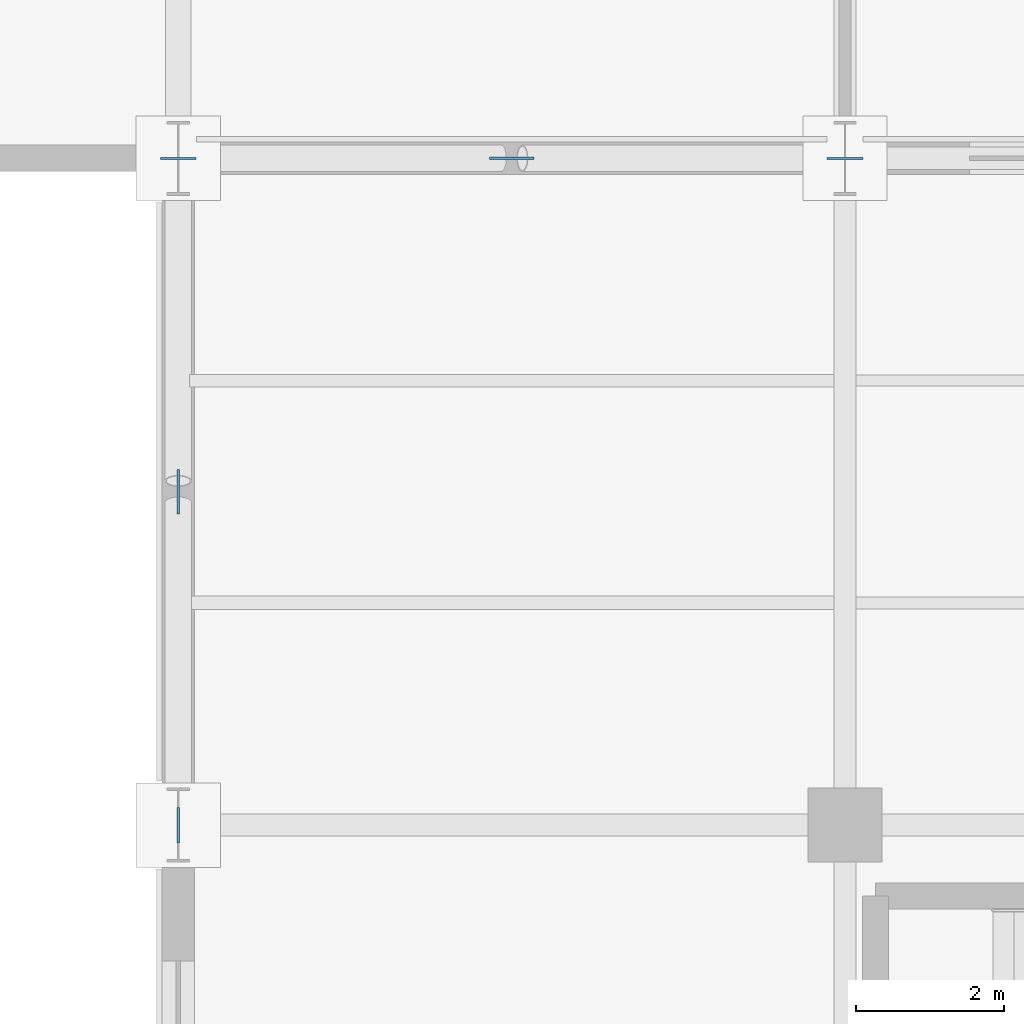
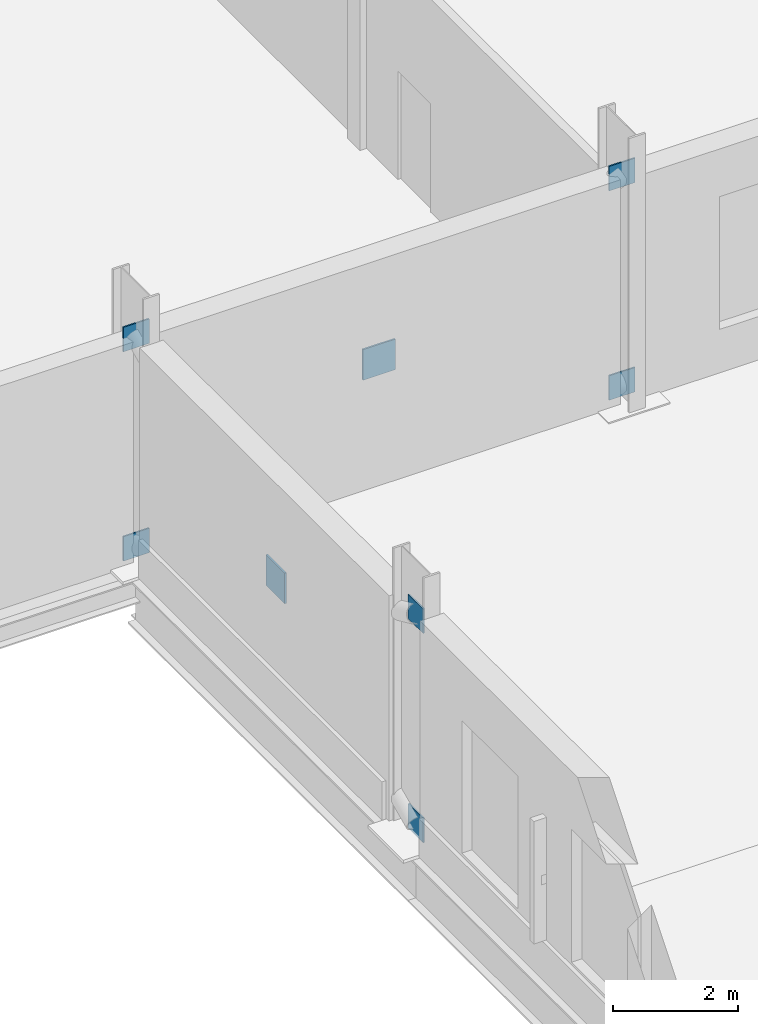
# One storey, part 112 of 141: 8 plates.
"""IFC4 building model written with IfcOpenShell, lengths in metres."""

from ifc_helpers import new_model, si_unit, direction, frame, origin, origin_2d, place, context, subcontext, project, spatial, rectangle, extrude, material, layer, layer_set, type_object, element, save


model = new_model("IFC4")

# Units and contexts
model_context = context("Model", 3, precision=1e-05, world=origin(), true_north=direction((0.0, 1.0)))
body_context = subcontext(model_context, "Body", "Model", "MODEL_VIEW")
ifc_project = project(units=[si_unit("LENGTHUNIT", "METRE"), si_unit("AREAUNIT", "SQUARE_METRE"), si_unit("VOLUMEUNIT", "CUBIC_METRE"), si_unit("PLANEANGLEUNIT", "RADIAN"), si_unit("MASSUNIT", "GRAM", prefix="KILO")], contexts=[model_context])

# Site, building, storey
site_placement = place(None, origin())
site = spatial("IfcSite", under=ifc_project, at=site_placement, CompositionType="ELEMENT")
building_placement = place(site_placement, origin())
building = spatial("IfcBuilding", under=site, at=building_placement, Name="Sundgate Opera House", CompositionType="ELEMENT")
storey_placement = place(building_placement, frame((0.0, 0.0, 11.39990234375)))
storey = spatial("IfcBuildingStorey", under=building, at=storey_placement, Name="L02", CompositionType="ELEMENT", Elevation=11.39990234375)

# Plates
ifc_material_1 = material(Name="Steel S355J2", Category="steel")
ifc_layer_1 = layer(ifc_material_1, 0.028076171875)
ifc_layer_set_1 = layer_set([ifc_layer_1], Name="Steel S355J2")
plate_type_1 = type_object("IfcPlateType", Name="PT-GUS-28", PredefinedType="USERDEFINED", material=ifc_layer_set_1)
for number, where, z_axis, x_axis, name in (
    (1, (27.0, 87.0, 0.010009765625), (0.0, 0.0, 1.0), (1.0, 0.0, 0.0), "L02 Belt-Truss End Gusset"),
    (2, (36.0, 87.0, 4.110107421875), (0.0, 0.0, 1.0), (1.0, 0.0, 0.0), "L02 Belt-Truss End Gusset"),
    (3, (36.0, 87.0, 0.010009765625), (0.0, 0.0, 1.0), (1.0, 0.0, 0.0), "L02 Belt-Truss End Gusset"),
    (4, (27.0, 87.0, 4.110107421875), (0.0, 0.0, 1.0), (1.0, 0.0, 0.0), "L02 Belt-Truss End Gusset"),
):
    element("IfcPlate", number, at=place(storey_placement, frame(where, z_axis=z_axis, x_axis=x_axis)), inside=storey, type_object=plate_type_1, Name=name, ObjectType="GUSSET PLATE", PredefinedType="USERDEFINED", context=body_context, shape_type="SweptSolid", body=[
        extrude(rectangle(XDim=0.47998046875, YDim=0.028076171875, at=origin_2d()), origin(), (0.0, 0.0, 1.0), 0.47998046875),
    ])
for number, where, z_axis, x_axis, name in (
    (5, (27.0, 78.0, 0.010009765625), (0.0, 0.0, 1.0), (1.0, 0.0, 0.0), "L02 Belt-Truss End Gusset"),
    (6, (27.0, 78.0, 4.110107421875), (0.0, 0.0, 1.0), (1.0, 0.0, 0.0), "L02 Belt-Truss End Gusset"),
):
    element("IfcPlate", number, at=place(storey_placement, frame(where, z_axis=z_axis, x_axis=x_axis)), inside=storey, type_object=plate_type_1, Name=name, ObjectType="GUSSET PLATE", PredefinedType="USERDEFINED", context=body_context, shape_type="SweptSolid", body=[
        extrude(rectangle(XDim=0.028076171875, YDim=0.47998046875, at=origin_2d()), origin(), (0.0, 0.0, 1.0), 0.47998046875),
    ])
ifc_material_2 = material(Name="Steel S355J2", Category="steel")
ifc_layer_2 = layer(ifc_material_2, 0.031982421875)
ifc_layer_set_2 = layer_set([ifc_layer_2], Name="Steel S355J2")
plate_type_2 = type_object("IfcPlateType", Name="PT-GUS-32", PredefinedType="USERDEFINED", material=ifc_layer_set_2)
plate_1_placement = place(storey_placement, frame((31.5, 87.0, 2.0), z_axis=(0.0, 0.0, 1.0), x_axis=(1.0, 0.0, 0.0)))
element("IfcPlate", 7, at=plate_1_placement, inside=storey, type_object=plate_type_2, Name="L02 Belt-Truss Central Crossing Gusset", ObjectType="GUSSET PLATE", PredefinedType="USERDEFINED", context=body_context, shape_type="SweptSolid", body=[
    extrude(rectangle(XDim=0.60009765625, YDim=0.031982421875, at=origin_2d()), origin(), (0.0, 0.0, 1.0), 0.60009765625),
])
plate_2_placement = place(storey_placement, frame((27.0, 82.5, 2.0), z_axis=(0.0, 0.0, 1.0), x_axis=(1.0, 0.0, 0.0)))
element("IfcPlate", 8, at=plate_2_placement, inside=storey, type_object=plate_type_2, Name="L02 Belt-Truss Central Crossing Gusset", ObjectType="GUSSET PLATE", PredefinedType="USERDEFINED", context=body_context, shape_type="SweptSolid", body=[
    extrude(rectangle(XDim=0.031982421875, YDim=0.60009765625, at=origin_2d()), origin(), (0.0, 0.0, 1.0), 0.60009765625),
])

save(model, "model.ifc")
